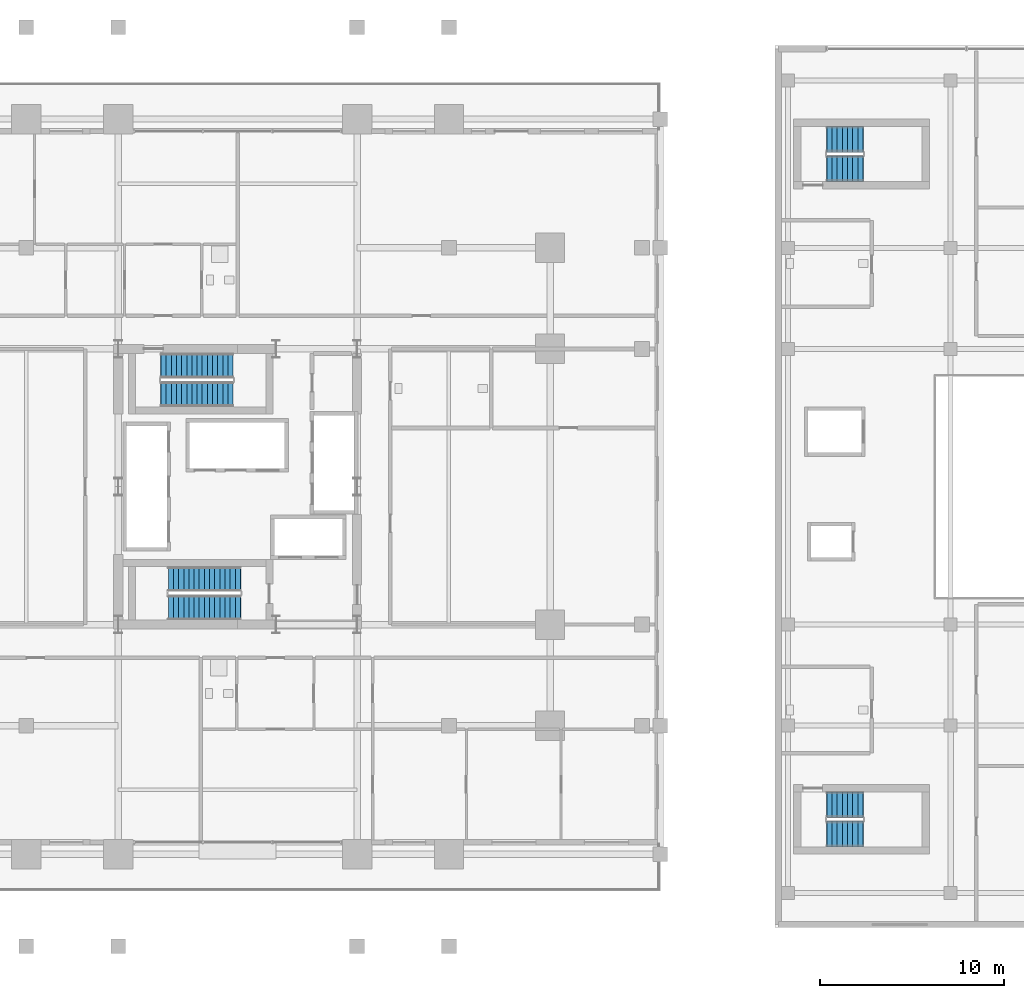
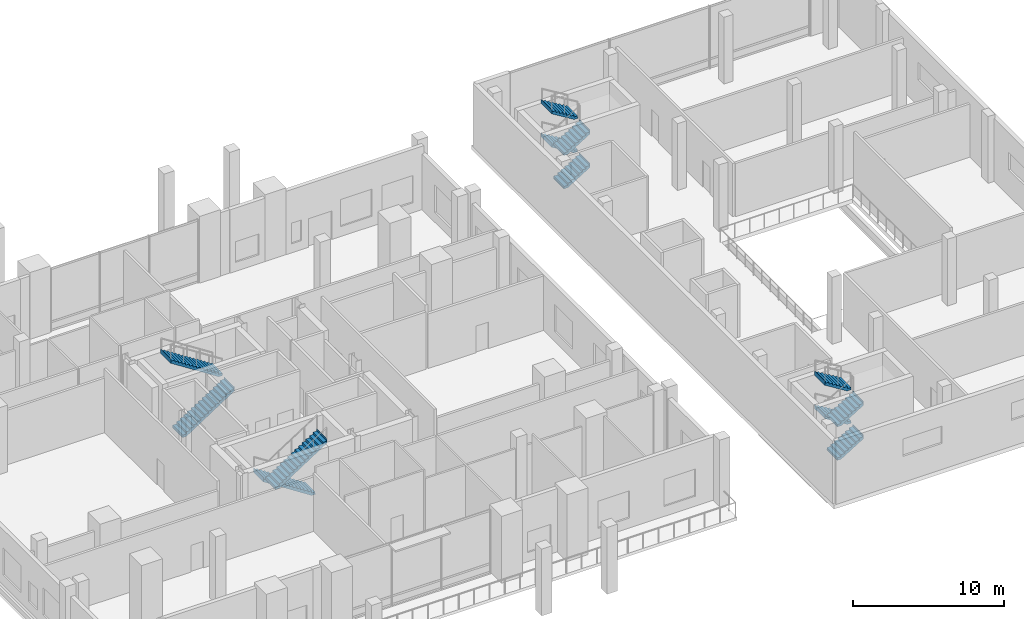
# One storey, part 16 of 22: 12 stair flights, 4 elements without a shape of their own.
"""IFC4 building model written with IfcOpenShell, lengths in metres."""

from ifc_helpers import new_model, si_unit, direction, frame, origin, place, context, subcontext, project, spatial, polyline, outline, extrude, material, type_object, element, aggregate, save


model = new_model("IFC4")

# Units and contexts
model_context = context("Model", 3, precision=1e-05, world=origin(), true_north=direction((0.0, 1.0)))
body_context = subcontext(model_context, "Body", "Model", "MODEL_VIEW")
ifc_project = project(units=[si_unit("LENGTHUNIT", "METRE"), si_unit("AREAUNIT", "SQUARE_METRE"), si_unit("VOLUMEUNIT", "CUBIC_METRE"), si_unit("PLANEANGLEUNIT", "RADIAN"), si_unit("MASSUNIT", "GRAM", prefix="KILO")], contexts=[model_context])

# Site, building, storey
site_placement = place(None, origin())
site = spatial("IfcSite", under=ifc_project, at=site_placement, CompositionType="ELEMENT")
building_placement = place(site_placement, origin())
building = spatial("IfcBuilding", under=site, at=building_placement, Name="Barlavira Tower and Art Museum", CompositionType="ELEMENT")
storey_placement = place(building_placement, frame((0.0, 0.0, 16.800048828125)))
storey = spatial("IfcBuildingStorey", under=building, at=storey_placement, Name="L03", CompositionType="ELEMENT", Elevation=16.800048828125)

# Stair, stair flights
ifc_material_1 = material(Name="Concrete C45", Category="concrete")
stair_type_1 = type_object("IfcStairType", Name="Museum North Dog-Leg Exit Stair Assembly Concrete C45", PredefinedType="TWO_QUARTER_TURN_STAIR", material=ifc_material_1)
stair_1_placement = place(storey_placement, origin())
stair_1 = element("IfcStair", 1, at=stair_1_placement, inside=storey, type_object=stair_type_1, Name="L03 Museum North Exit Stair ST-M2", PredefinedType="TWO_QUARTER_TURN_STAIR")
ifc_material_2 = material(Name="Precast concrete C45", Category="concrete")
stair_flight_type_1 = type_object("IfcStairFlightType", Name="Museum North Dog-Leg Exit Stair Precast Flight 1400 Concrete C45", PredefinedType="STRAIGHT", material=ifc_material_2)
stair_flight_1_placement = place(storey_placement, frame((32.070068359375, 17.300048828125, 0.0), z_axis=(0.0, 0.0, 1.0), x_axis=(1.0, 0.0, 0.0)))
stair_flight_1 = element("IfcStairFlight", 2, at=stair_flight_1_placement, type_object=stair_flight_type_1, Name="ST-M2 flight 1", NumberOfRisers=8, NumberOfTreads=7, PredefinedType="STRAIGHT", RiserHeight=0.16875, TreadLength=0.28, context=body_context, shape_type="SweptSolid", body=[
    extrude(outline(polyline([(-0.02490234375, 0.0), (0.0, 0.0), (0.0, 0.168701171875), (0.280029296875, 0.168701171875), (0.280029296875, 0.33740234375), (0.56005859375, 0.33740234375), (0.56005859375, 0.50634765625), (0.840087890625, 0.50634765625), (0.840087890625, 0.675048828125), (1.1201171875, 0.675048828125), (1.1201171875, 0.84375), (1.39990234375, 0.84375), (1.39990234375, 1.012451171875), (1.679931640625, 1.012451171875), (1.679931640625, 1.18115234375), (1.9599609375, 1.18115234375), (1.9599609375, 1.35009765625), (1.98486328125, 1.35009765625), (1.98486328125, 1.00634765625), (1.9599609375, 1.00634765625), (0.29052734375, -0.02490234375), (-0.02490234375, -0.02490234375), (-0.02490234375, 0.0)])), frame((0.0, 0.699951171875, 0.0), z_axis=(0.0, -1.0, 0.0), x_axis=(1.0, 0.0, 0.0)), (0.0, 0.0, 1.0), 1.39990234375),
])
stair_flight_2_placement = place(storey_placement, frame((34.030029296875, 18.89990234375, 1.349853515625), z_axis=(0.0, 0.0, 1.0), x_axis=(-1.0, 0.0, 0.0)))
stair_flight_2 = element("IfcStairFlight", 3, at=stair_flight_2_placement, type_object=stair_flight_type_1, Name="ST-M2 flight 2", NumberOfRisers=8, NumberOfTreads=7, PredefinedType="STRAIGHT", RiserHeight=0.16875, TreadLength=0.28, context=body_context, shape_type="SweptSolid", body=[
    extrude(outline(polyline([(-0.02490234375, 0.0), (0.0, 0.0), (0.0, 0.168701171875), (0.280029296875, 0.168701171875), (0.280029296875, 0.33740234375), (0.56005859375, 0.33740234375), (0.56005859375, 0.50634765625), (0.840087890625, 0.50634765625), (0.840087890625, 0.675048828125), (1.1201171875, 0.675048828125), (1.1201171875, 0.84375), (1.39990234375, 0.84375), (1.39990234375, 1.012451171875), (1.679931640625, 1.012451171875), (1.679931640625, 1.18115234375), (1.9599609375, 1.18115234375), (1.9599609375, 1.35009765625), (1.98486328125, 1.35009765625), (1.98486328125, 1.00634765625), (1.9599609375, 1.00634765625), (0.29052734375, -0.02490234375), (-0.02490234375, -0.02490234375), (-0.02490234375, 0.0)])), frame((0.0, 0.699951171875, 0.0), z_axis=(0.0, -1.0, 0.0), x_axis=(1.0, 0.0, 0.0)), (0.0, 0.0, 1.0), 1.39990234375),
])
stair_flight_3_placement = place(storey_placement, frame((32.070068359375, 17.300048828125, 2.699951171875), z_axis=(0.0, 0.0, 1.0), x_axis=(1.0, 0.0, 0.0)))
stair_flight_3 = element("IfcStairFlight", 4, at=stair_flight_3_placement, type_object=stair_flight_type_1, Name="ST-M2 flight 3", NumberOfRisers=8, NumberOfTreads=7, PredefinedType="STRAIGHT", RiserHeight=0.16875, TreadLength=0.28, context=body_context, shape_type="SweptSolid", body=[
    extrude(outline(polyline([(-0.02490234375, 0.0), (0.0, 0.0), (0.0, 0.168701171875), (0.280029296875, 0.168701171875), (0.280029296875, 0.33740234375), (0.56005859375, 0.33740234375), (0.56005859375, 0.50634765625), (0.840087890625, 0.50634765625), (0.840087890625, 0.675048828125), (1.1201171875, 0.675048828125), (1.1201171875, 0.84375), (1.39990234375, 0.84375), (1.39990234375, 1.012451171875), (1.679931640625, 1.012451171875), (1.679931640625, 1.18115234375), (1.9599609375, 1.18115234375), (1.9599609375, 1.35009765625), (1.98486328125, 1.35009765625), (1.98486328125, 1.00634765625), (1.9599609375, 1.00634765625), (0.29052734375, -0.02490234375), (-0.02490234375, -0.02490234375), (-0.02490234375, 0.0)])), frame((0.0, 0.699951171875, 0.0), z_axis=(0.0, -1.0, 0.0), x_axis=(1.0, 0.0, 0.0)), (0.0, 0.0, 1.0), 1.39990234375),
])
stair_flight_4_placement = place(storey_placement, frame((34.030029296875, 18.89990234375, 4.050048828125), z_axis=(0.0, 0.0, 1.0), x_axis=(-1.0, 0.0, 0.0)))
stair_flight_4 = element("IfcStairFlight", 5, at=stair_flight_4_placement, type_object=stair_flight_type_1, Name="ST-M2 flight 4", NumberOfRisers=8, NumberOfTreads=7, PredefinedType="STRAIGHT", RiserHeight=0.16875, TreadLength=0.28, context=body_context, shape_type="SweptSolid", body=[
    extrude(outline(polyline([(-0.02490234375, 0.0), (0.0, 0.0), (0.0, 0.168701171875), (0.280029296875, 0.168701171875), (0.280029296875, 0.33740234375), (0.56005859375, 0.33740234375), (0.56005859375, 0.50634765625), (0.840087890625, 0.50634765625), (0.840087890625, 0.675048828125), (1.1201171875, 0.675048828125), (1.1201171875, 0.84375), (1.39990234375, 0.84375), (1.39990234375, 1.012451171875), (1.679931640625, 1.012451171875), (1.679931640625, 1.18115234375), (1.9599609375, 1.18115234375), (1.9599609375, 1.35009765625), (1.98486328125, 1.35009765625), (1.98486328125, 1.00634765625), (1.9599609375, 1.00634765625), (0.29052734375, -0.02490234375), (-0.02490234375, -0.02490234375), (-0.02490234375, 0.0)])), frame((0.0, 0.699951171875, 0.0), z_axis=(0.0, -1.0, 0.0), x_axis=(1.0, 0.0, 0.0)), (0.0, 0.0, 1.0), 1.39990234375),
])
aggregate(stair_1, [stair_flight_1, stair_flight_2, stair_flight_3, stair_flight_4])

stair_type_2 = type_object("IfcStairType", Name="Museum South Dog-Leg Exit Stair Assembly Concrete C45", PredefinedType="TWO_QUARTER_TURN_STAIR", material=ifc_material_1)
stair_2_placement = place(storey_placement, origin())
stair_2 = element("IfcStair", 6, at=stair_2_placement, inside=storey, type_object=stair_type_2, Name="L03 Museum South Exit Stair ST-M1", PredefinedType="TWO_QUARTER_TURN_STAIR")
stair_flight_type_2 = type_object("IfcStairFlightType", Name="Museum South Dog-Leg Exit Stair Precast Flight 1400 Concrete C45", PredefinedType="STRAIGHT", material=ifc_material_2)
stair_flight_5_placement = place(storey_placement, frame((32.070068359375, -18.89990234375, 0.0), z_axis=(0.0, 0.0, 1.0), x_axis=(1.0, 0.0, 0.0)))
stair_flight_5 = element("IfcStairFlight", 7, at=stair_flight_5_placement, type_object=stair_flight_type_2, Name="ST-M1 flight 1", NumberOfRisers=8, NumberOfTreads=7, PredefinedType="STRAIGHT", RiserHeight=0.16875, TreadLength=0.28, context=body_context, shape_type="SweptSolid", body=[
    extrude(outline(polyline([(-0.02490234375, 0.0), (0.0, 0.0), (0.0, 0.168701171875), (0.280029296875, 0.168701171875), (0.280029296875, 0.33740234375), (0.56005859375, 0.33740234375), (0.56005859375, 0.50634765625), (0.840087890625, 0.50634765625), (0.840087890625, 0.675048828125), (1.1201171875, 0.675048828125), (1.1201171875, 0.84375), (1.39990234375, 0.84375), (1.39990234375, 1.012451171875), (1.679931640625, 1.012451171875), (1.679931640625, 1.18115234375), (1.9599609375, 1.18115234375), (1.9599609375, 1.35009765625), (1.98486328125, 1.35009765625), (1.98486328125, 1.00634765625), (1.9599609375, 1.00634765625), (0.29052734375, -0.02490234375), (-0.02490234375, -0.02490234375), (-0.02490234375, 0.0)])), frame((0.0, 0.699951171875, 0.0), z_axis=(0.0, -1.0, 0.0), x_axis=(1.0, 0.0, 0.0)), (0.0, 0.0, 1.0), 1.39990234375),
])
stair_flight_6_placement = place(storey_placement, frame((34.030029296875, -17.300048828125, 1.349853515625), z_axis=(0.0, 0.0, 1.0), x_axis=(-1.0, 0.0, 0.0)))
stair_flight_6 = element("IfcStairFlight", 8, at=stair_flight_6_placement, type_object=stair_flight_type_2, Name="ST-M1 flight 2", NumberOfRisers=8, NumberOfTreads=7, PredefinedType="STRAIGHT", RiserHeight=0.16875, TreadLength=0.28, context=body_context, shape_type="SweptSolid", body=[
    extrude(outline(polyline([(-0.02490234375, 0.0), (0.0, 0.0), (0.0, 0.168701171875), (0.280029296875, 0.168701171875), (0.280029296875, 0.33740234375), (0.56005859375, 0.33740234375), (0.56005859375, 0.50634765625), (0.840087890625, 0.50634765625), (0.840087890625, 0.675048828125), (1.1201171875, 0.675048828125), (1.1201171875, 0.84375), (1.39990234375, 0.84375), (1.39990234375, 1.012451171875), (1.679931640625, 1.012451171875), (1.679931640625, 1.18115234375), (1.9599609375, 1.18115234375), (1.9599609375, 1.35009765625), (1.98486328125, 1.35009765625), (1.98486328125, 1.00634765625), (1.9599609375, 1.00634765625), (0.29052734375, -0.02490234375), (-0.02490234375, -0.02490234375), (-0.02490234375, 0.0)])), frame((0.0, 0.699951171875, 0.0), z_axis=(0.0, -1.0, 0.0), x_axis=(1.0, 0.0, 0.0)), (0.0, 0.0, 1.0), 1.39990234375),
])
stair_flight_7_placement = place(storey_placement, frame((32.070068359375, -18.89990234375, 2.699951171875), z_axis=(0.0, 0.0, 1.0), x_axis=(1.0, 0.0, 0.0)))
stair_flight_7 = element("IfcStairFlight", 9, at=stair_flight_7_placement, type_object=stair_flight_type_2, Name="ST-M1 flight 3", NumberOfRisers=8, NumberOfTreads=7, PredefinedType="STRAIGHT", RiserHeight=0.16875, TreadLength=0.28, context=body_context, shape_type="SweptSolid", body=[
    extrude(outline(polyline([(-0.02490234375, 0.0), (0.0, 0.0), (0.0, 0.168701171875), (0.280029296875, 0.168701171875), (0.280029296875, 0.33740234375), (0.56005859375, 0.33740234375), (0.56005859375, 0.50634765625), (0.840087890625, 0.50634765625), (0.840087890625, 0.675048828125), (1.1201171875, 0.675048828125), (1.1201171875, 0.84375), (1.39990234375, 0.84375), (1.39990234375, 1.012451171875), (1.679931640625, 1.012451171875), (1.679931640625, 1.18115234375), (1.9599609375, 1.18115234375), (1.9599609375, 1.35009765625), (1.98486328125, 1.35009765625), (1.98486328125, 1.00634765625), (1.9599609375, 1.00634765625), (0.29052734375, -0.02490234375), (-0.02490234375, -0.02490234375), (-0.02490234375, 0.0)])), frame((0.0, 0.699951171875, 0.0), z_axis=(0.0, -1.0, 0.0), x_axis=(1.0, 0.0, 0.0)), (0.0, 0.0, 1.0), 1.39990234375),
])
stair_flight_8_placement = place(storey_placement, frame((34.030029296875, -17.300048828125, 4.050048828125), z_axis=(0.0, 0.0, 1.0), x_axis=(-1.0, 0.0, 0.0)))
stair_flight_8 = element("IfcStairFlight", 10, at=stair_flight_8_placement, type_object=stair_flight_type_2, Name="ST-M1 flight 4", NumberOfRisers=8, NumberOfTreads=7, PredefinedType="STRAIGHT", RiserHeight=0.16875, TreadLength=0.28, context=body_context, shape_type="SweptSolid", body=[
    extrude(outline(polyline([(-0.02490234375, 0.0), (0.0, 0.0), (0.0, 0.168701171875), (0.280029296875, 0.168701171875), (0.280029296875, 0.33740234375), (0.56005859375, 0.33740234375), (0.56005859375, 0.50634765625), (0.840087890625, 0.50634765625), (0.840087890625, 0.675048828125), (1.1201171875, 0.675048828125), (1.1201171875, 0.84375), (1.39990234375, 0.84375), (1.39990234375, 1.012451171875), (1.679931640625, 1.012451171875), (1.679931640625, 1.18115234375), (1.9599609375, 1.18115234375), (1.9599609375, 1.35009765625), (1.98486328125, 1.35009765625), (1.98486328125, 1.00634765625), (1.9599609375, 1.00634765625), (0.29052734375, -0.02490234375), (-0.02490234375, -0.02490234375), (-0.02490234375, 0.0)])), frame((0.0, 0.699951171875, 0.0), z_axis=(0.0, -1.0, 0.0), x_axis=(1.0, 0.0, 0.0)), (0.0, 0.0, 1.0), 1.39990234375),
])
aggregate(stair_2, [stair_flight_5, stair_flight_6, stair_flight_7, stair_flight_8])

stair_type_3 = type_object("IfcStairType", Name="Tower North Dog-Leg Exit Stair Assembly Concrete C45", PredefinedType="TWO_QUARTER_TURN_STAIR", material=ifc_material_1)
stair_3_placement = place(storey_placement, origin())
stair_3 = element("IfcStair", 11, at=stair_3_placement, inside=storey, type_object=stair_type_3, Name="L03 Tower North Exit Stair ST-T2", PredefinedType="TWO_QUARTER_TURN_STAIR")
stair_flight_type_3 = type_object("IfcStairFlightType", Name="Tower North Dog-Leg Exit Stair Precast Flight 1350 Concrete C45", PredefinedType="STRAIGHT", material=ifc_material_2)
stair_flight_9_placement = place(storey_placement, frame((-4.169921875, 5.02490234375, 0.0), z_axis=(0.0, 0.0, 1.0), x_axis=(1.0, 0.0, 0.0)))
stair_flight_9 = element("IfcStairFlight", 12, at=stair_flight_9_placement, type_object=stair_flight_type_3, Name="ST-T2 flight 1", NumberOfRisers=15, NumberOfTreads=14, PredefinedType="STRAIGHT", RiserHeight=0.18, TreadLength=0.28, context=body_context, shape_type="SweptSolid", body=[
    extrude(outline(polyline([(-0.02490234375, 0.0), (0.0, 0.0), (0.0, 0.179931640625), (0.280029296875, 0.179931640625), (0.280029296875, 0.360107421875), (0.56005859375, 0.360107421875), (0.56005859375, 0.5400390625), (0.840087890625, 0.5400390625), (0.840087890625, 0.719970703125), (1.1201171875, 0.719970703125), (1.1201171875, 0.89990234375), (1.39990234375, 0.89990234375), (1.39990234375, 1.080078125), (1.679931640625, 1.080078125), (1.679931640625, 1.260009765625), (1.9599609375, 1.260009765625), (1.9599609375, 1.43994140625), (2.239990234375, 1.43994140625), (2.239990234375, 1.6201171875), (2.52001953125, 1.6201171875), (2.52001953125, 1.800048828125), (2.800048828125, 1.800048828125), (2.800048828125, 1.97998046875), (3.080078125, 1.97998046875), (3.080078125, 2.159912109375), (3.360107421875, 2.159912109375), (3.360107421875, 2.340087890625), (3.639892578125, 2.340087890625), (3.639892578125, 2.52001953125), (3.919921875, 2.52001953125), (3.919921875, 2.699951171875), (3.94482421875, 2.699951171875), (3.94482421875, 2.341796875), (3.919921875, 2.341796875), (0.277099609375, -0.02490234375), (-0.02490234375, -0.02490234375), (-0.02490234375, 0.0)])), frame((0.0, 0.675048828125, 0.0), z_axis=(0.0, -1.0, 0.0), x_axis=(1.0, 0.0, 0.0)), (0.0, 0.0, 1.0), 1.35009765625),
])
stair_flight_10_placement = place(storey_placement, frame((-0.25, 6.574951171875, 2.699951171875), z_axis=(0.0, 0.0, 1.0), x_axis=(-1.0, 0.0, 0.0)))
stair_flight_10 = element("IfcStairFlight", 13, at=stair_flight_10_placement, type_object=stair_flight_type_3, Name="ST-T2 flight 2", NumberOfRisers=15, NumberOfTreads=14, PredefinedType="STRAIGHT", RiserHeight=0.18, TreadLength=0.28, context=body_context, shape_type="SweptSolid", body=[
    extrude(outline(polyline([(-0.02490234375, 0.0), (0.0, 0.0), (0.0, 0.179931640625), (0.280029296875, 0.179931640625), (0.280029296875, 0.360107421875), (0.56005859375, 0.360107421875), (0.56005859375, 0.5400390625), (0.840087890625, 0.5400390625), (0.840087890625, 0.719970703125), (1.1201171875, 0.719970703125), (1.1201171875, 0.89990234375), (1.39990234375, 0.89990234375), (1.39990234375, 1.080078125), (1.679931640625, 1.080078125), (1.679931640625, 1.260009765625), (1.9599609375, 1.260009765625), (1.9599609375, 1.43994140625), (2.239990234375, 1.43994140625), (2.239990234375, 1.6201171875), (2.52001953125, 1.6201171875), (2.52001953125, 1.800048828125), (2.800048828125, 1.800048828125), (2.800048828125, 1.97998046875), (3.080078125, 1.97998046875), (3.080078125, 2.159912109375), (3.360107421875, 2.159912109375), (3.360107421875, 2.340087890625), (3.639892578125, 2.340087890625), (3.639892578125, 2.52001953125), (3.919921875, 2.52001953125), (3.919921875, 2.699951171875), (3.94482421875, 2.699951171875), (3.94482421875, 2.341796875), (3.919921875, 2.341796875), (0.277099609375, -0.02490234375), (-0.02490234375, -0.02490234375), (-0.02490234375, 0.0)])), frame((0.0, 0.675048828125, 0.0), z_axis=(0.0, -1.0, 0.0), x_axis=(1.0, 0.0, 0.0)), (0.0, 0.0, 1.0), 1.35009765625),
])
aggregate(stair_3, [stair_flight_9, stair_flight_10])

stair_type_4 = type_object("IfcStairType", Name="Tower South Dog-Leg Exit Stair Assembly Concrete C45", PredefinedType="TWO_QUARTER_TURN_STAIR", material=ifc_material_1)
stair_4_placement = place(storey_placement, origin())
stair_4 = element("IfcStair", 14, at=stair_4_placement, inside=storey, type_object=stair_type_4, Name="L03 Tower South Exit Stair ST-T1", PredefinedType="TWO_QUARTER_TURN_STAIR")
stair_flight_type_4 = type_object("IfcStairFlightType", Name="Tower South Dog-Leg Exit Stair Precast Flight 1350 Concrete C45", PredefinedType="STRAIGHT", material=ifc_material_2)
stair_flight_11_placement = place(storey_placement, frame((0.14990234375, -5.02490234375, 0.0), z_axis=(0.0, 0.0, 1.0), x_axis=(-1.0, 0.0, 0.0)))
stair_flight_11 = element("IfcStairFlight", 15, at=stair_flight_11_placement, type_object=stair_flight_type_4, Name="ST-T1 flight 1", NumberOfRisers=15, NumberOfTreads=14, PredefinedType="STRAIGHT", RiserHeight=0.18, TreadLength=0.28, context=body_context, shape_type="SweptSolid", body=[
    extrude(outline(polyline([(-0.02490234375, 0.0), (0.0, 0.0), (0.0, 0.179931640625), (0.280029296875, 0.179931640625), (0.280029296875, 0.360107421875), (0.56005859375, 0.360107421875), (0.56005859375, 0.5400390625), (0.840087890625, 0.5400390625), (0.840087890625, 0.719970703125), (1.1201171875, 0.719970703125), (1.1201171875, 0.89990234375), (1.39990234375, 0.89990234375), (1.39990234375, 1.080078125), (1.679931640625, 1.080078125), (1.679931640625, 1.260009765625), (1.9599609375, 1.260009765625), (1.9599609375, 1.43994140625), (2.239990234375, 1.43994140625), (2.239990234375, 1.6201171875), (2.52001953125, 1.6201171875), (2.52001953125, 1.800048828125), (2.800048828125, 1.800048828125), (2.800048828125, 1.97998046875), (3.080078125, 1.97998046875), (3.080078125, 2.159912109375), (3.360107421875, 2.159912109375), (3.360107421875, 2.340087890625), (3.639892578125, 2.340087890625), (3.639892578125, 2.52001953125), (3.919921875, 2.52001953125), (3.919921875, 2.699951171875), (3.94482421875, 2.699951171875), (3.94482421875, 2.341796875), (3.919921875, 2.341796875), (0.277099609375, -0.02490234375), (-0.02490234375, -0.02490234375), (-0.02490234375, 0.0)])), frame((0.0, 0.675048828125, 0.0), z_axis=(0.0, -1.0, 0.0), x_axis=(1.0, 0.0, 0.0)), (0.0, 0.0, 1.0), 1.35009765625),
])
stair_flight_12_placement = place(storey_placement, frame((-3.77001953125, -6.574951171875, 2.699951171875), z_axis=(0.0, 0.0, 1.0), x_axis=(1.0, 0.0, 0.0)))
stair_flight_12 = element("IfcStairFlight", 16, at=stair_flight_12_placement, type_object=stair_flight_type_4, Name="ST-T1 flight 2", NumberOfRisers=15, NumberOfTreads=14, PredefinedType="STRAIGHT", RiserHeight=0.18, TreadLength=0.28, context=body_context, shape_type="SweptSolid", body=[
    extrude(outline(polyline([(-0.02490234375, 0.0), (0.0, 0.0), (0.0, 0.179931640625), (0.280029296875, 0.179931640625), (0.280029296875, 0.360107421875), (0.56005859375, 0.360107421875), (0.56005859375, 0.5400390625), (0.840087890625, 0.5400390625), (0.840087890625, 0.719970703125), (1.1201171875, 0.719970703125), (1.1201171875, 0.89990234375), (1.39990234375, 0.89990234375), (1.39990234375, 1.080078125), (1.679931640625, 1.080078125), (1.679931640625, 1.260009765625), (1.9599609375, 1.260009765625), (1.9599609375, 1.43994140625), (2.239990234375, 1.43994140625), (2.239990234375, 1.6201171875), (2.52001953125, 1.6201171875), (2.52001953125, 1.800048828125), (2.800048828125, 1.800048828125), (2.800048828125, 1.97998046875), (3.080078125, 1.97998046875), (3.080078125, 2.159912109375), (3.360107421875, 2.159912109375), (3.360107421875, 2.340087890625), (3.639892578125, 2.340087890625), (3.639892578125, 2.52001953125), (3.919921875, 2.52001953125), (3.919921875, 2.699951171875), (3.94482421875, 2.699951171875), (3.94482421875, 2.341796875), (3.919921875, 2.341796875), (0.277099609375, -0.02490234375), (-0.02490234375, -0.02490234375), (-0.02490234375, 0.0)])), frame((0.0, 0.675048828125, 0.0), z_axis=(0.0, -1.0, 0.0), x_axis=(1.0, 0.0, 0.0)), (0.0, 0.0, 1.0), 1.35009765625),
])
aggregate(stair_4, [stair_flight_11, stair_flight_12])

save(model, "model.ifc")
